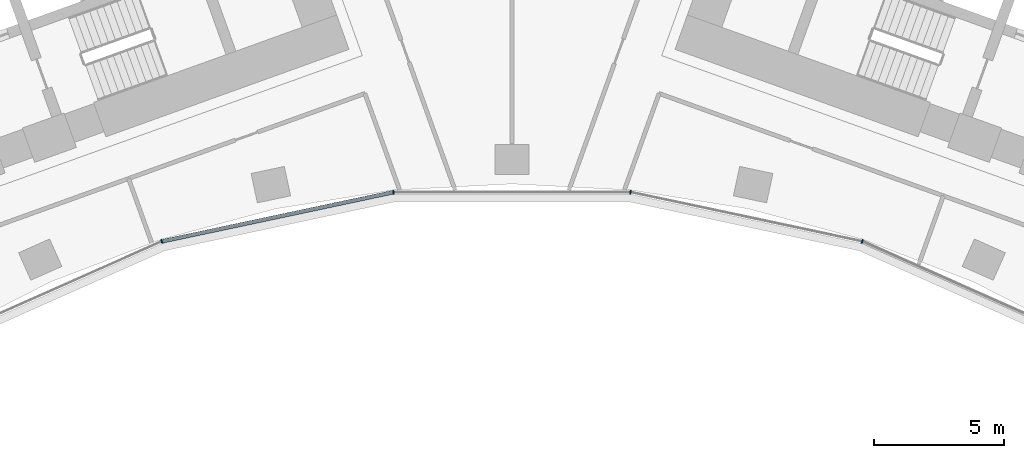
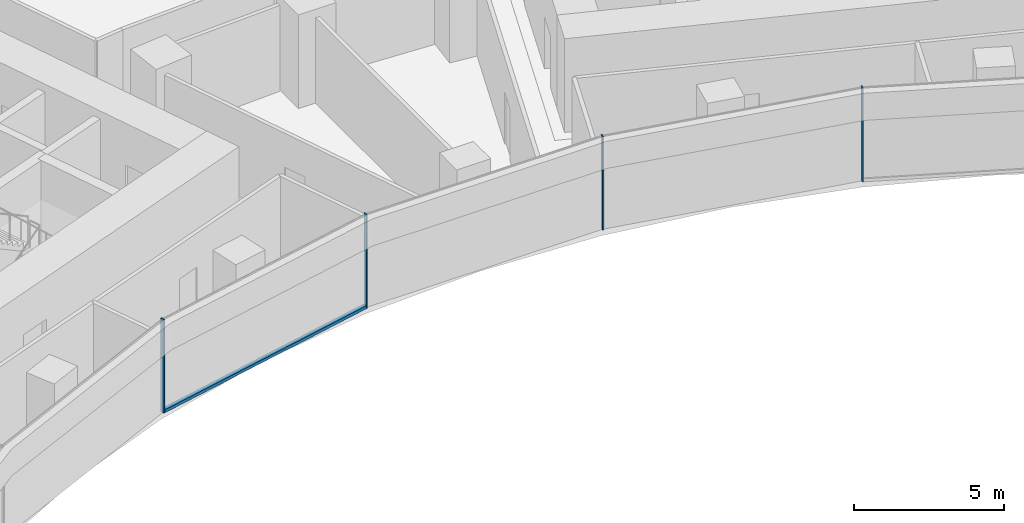
# One storey, part 4 of 20: 5 members, 1 element without a shape of its own.
"""IFC4 building model written with IfcOpenShell, lengths in metres."""

from ifc_helpers import new_model, si_unit, direction, frame, origin, origin_2d, place, context, subcontext, project, spatial, rectangle, extrude, material, layer, layer_set, material_profile, profile_set, type_object, element, aggregate, save


model = new_model("IFC4")

# Units and contexts
model_context = context("Model", 3, precision=1e-05, world=origin(), true_north=direction((0.0, 1.0)))
body_context = subcontext(model_context, "Body", "Model", "MODEL_VIEW")
ifc_project = project(units=[si_unit("LENGTHUNIT", "METRE"), si_unit("AREAUNIT", "SQUARE_METRE"), si_unit("VOLUMEUNIT", "CUBIC_METRE"), si_unit("PLANEANGLEUNIT", "RADIAN"), si_unit("MASSUNIT", "GRAM", prefix="KILO")], contexts=[model_context])

# Site, building, storey
site_placement = place(None, origin())
site = spatial("IfcSite", under=ifc_project, at=site_placement, CompositionType="ELEMENT")
building_placement = place(site_placement, origin())
building = spatial("IfcBuilding", under=site, at=building_placement, Name="Stone Belt Terrace Tower", CompositionType="ELEMENT")
storey_placement = place(building_placement, frame((0.0, 0.0, 102.199951171875)))
storey = spatial("IfcBuildingStorey", under=building, at=storey_placement, Name="L24", CompositionType="ELEMENT", Elevation=102.199951171875)

# Curtain wall, members
ifc_material = material(Name="Aluminium 6063-T6 anodised frame", Category="aluminium")
ifc_layer = layer(ifc_material, 0.14990234375)
ifc_layer_set = layer_set([ifc_layer], Name="CW-B unitised concave-face curtain wall")
curtain_wall_type = type_object("IfcCurtainWallType", Name="CW-B unitised concave-face curtain wall", PredefinedType="NOTDEFINED", material=ifc_layer_set)
curtain_wall_placement = place(storey_placement, origin())
curtain_wall = element("IfcCurtainWall", 1, at=curtain_wall_placement, inside=storey, type_object=curtain_wall_type, Name="CW-B concave face L24", PredefinedType="NOTDEFINED")
ifc_material_profile_1 = material_profile(ifc_material, rectangle(XDim=0.14990234375, YDim=0.050048828125, at=origin_2d()), Name="Aluminium 6063-T6 50x150")
ifc_profile_set_1 = profile_set([ifc_material_profile_1], Name="Aluminium 6063-T6 anodised frame")
member_type_1 = type_object("IfcMemberType", Name="CW-B mullion 50 x 150", PredefinedType="MULLION", material=ifc_profile_set_1)
member_1_placement = place(storey_placement, frame((-13.4189453125, 41.29931640625, 0.0), z_axis=(0.0, 0.0, 1.0), x_axis=(-0.309016994375, 0.951056516295, 0.0)))
member_1 = element("IfcMember", 2, at=member_1_placement, type_object=member_type_1, Name="CW-B mullion 4", PredefinedType="MULLION", context=body_context, shape_type="SweptSolid", body=[
    extrude(rectangle(XDim=0.14990234375, YDim=0.050048828125, at=origin_2d()), origin(), (0.0, 0.0, 1.0), 3.800048828125),
])
member_2_placement = place(storey_placement, frame((-4.5390625, 43.186767578125, 0.0), z_axis=(0.0, 0.0, 1.0), x_axis=(-0.104528463268, 0.994521895368, 0.0)))
member_2 = element("IfcMember", 3, at=member_2_placement, type_object=member_type_1, Name="CW-B mullion 5", PredefinedType="MULLION", context=body_context, shape_type="SweptSolid", body=[
    extrude(rectangle(XDim=0.14990234375, YDim=0.050048828125, at=origin_2d()), origin(), (0.0, 0.0, 1.0), 3.800048828125),
])
member_3_placement = place(storey_placement, frame((4.5390625, 43.186767578125, 0.0), z_axis=(0.0, 0.0, 1.0), x_axis=(0.104528463268, 0.994521895368, 0.0)))
member_3 = element("IfcMember", 4, at=member_3_placement, type_object=member_type_1, Name="CW-B mullion 6", PredefinedType="MULLION", context=body_context, shape_type="SweptSolid", body=[
    extrude(rectangle(XDim=0.14990234375, YDim=0.050048828125, at=origin_2d()), origin(), (0.0, 0.0, 1.0), 3.800048828125),
])
member_4_placement = place(storey_placement, frame((13.4189453125, 41.29931640625, 0.0), z_axis=(0.0, 0.0, 1.0), x_axis=(0.309016994375, 0.951056516295, 0.0)))
member_4 = element("IfcMember", 5, at=member_4_placement, type_object=member_type_1, Name="CW-B mullion 7", PredefinedType="MULLION", context=body_context, shape_type="SweptSolid", body=[
    extrude(rectangle(XDim=0.14990234375, YDim=0.050048828125, at=origin_2d()), origin(), (0.0, 0.0, 1.0), 3.800048828125),
])
ifc_material_profile_2 = material_profile(ifc_material, rectangle(XDim=0.14990234375, YDim=0.1201171875, at=origin_2d()), Name="Aluminium 6063-T6 150x120")
ifc_profile_set_2 = profile_set([ifc_material_profile_2], Name="Aluminium 6063-T6 anodised frame")
member_type_2 = type_object("IfcMemberType", Name="CW-B transom 120 x 150", PredefinedType="USERDEFINED", material=ifc_profile_set_2)
member_5_placement = place(storey_placement, frame((-13.386962890625, 41.30615234375, 0.06005859375), z_axis=(0.9781499003, 0.207900871914, 0.0), x_axis=(-0.207900871914, 0.9781499003, 0.0)))
member_5 = element("IfcMember", 6, at=member_5_placement, type_object=member_type_2, Name="CW-B transom 4.1", ObjectType="TRANSOM", PredefinedType="USERDEFINED", context=body_context, shape_type="SweptSolid", body=[
    extrude(rectangle(XDim=0.14990234375, YDim=0.1201171875, at=origin_2d()), origin(), (0.0, 0.0, 1.0), 9.012939453125),
])
aggregate(curtain_wall, [member_1, member_2, member_3, member_4, member_5])

save(model, "model.ifc")
